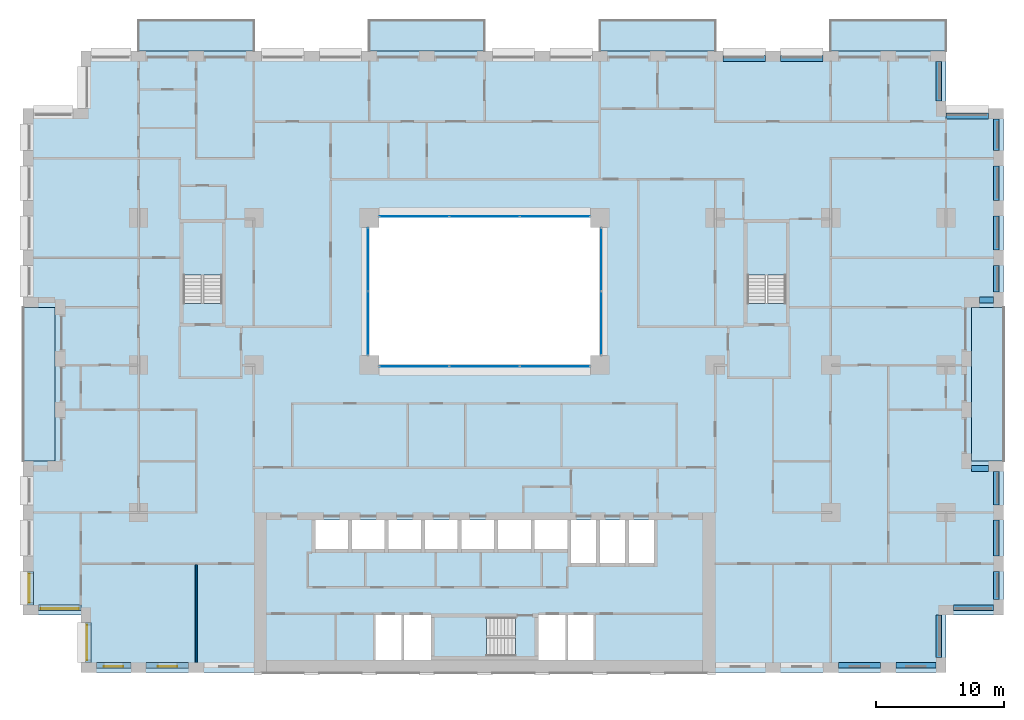
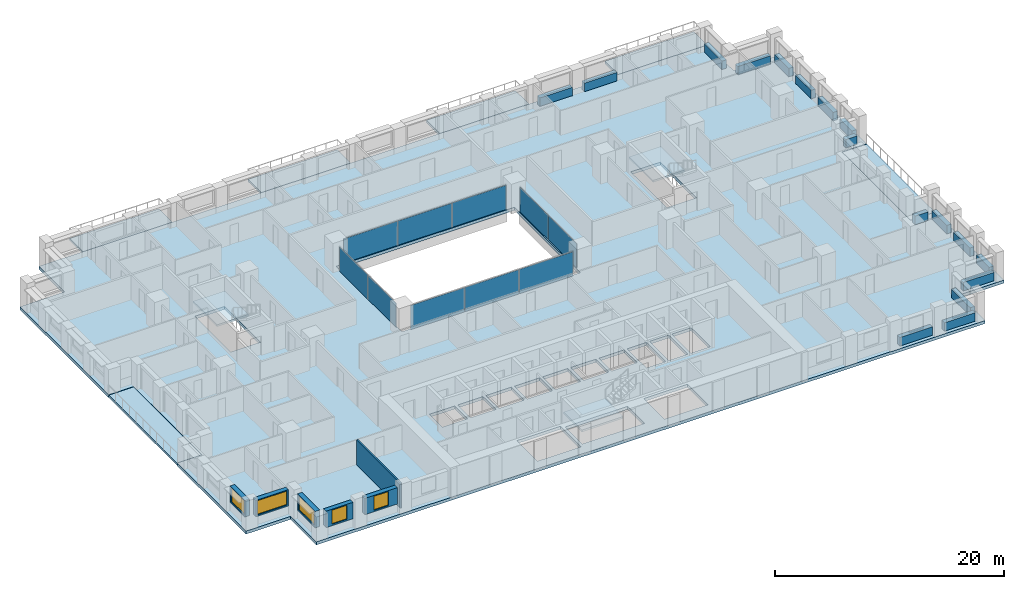
# One storey, part 8 of 20: 17 beams, 10 plates, 10 slabs, 6 walls, 5 windows, 5 openings, 7 elements without a shape of their own.
"""IFC4 building model written with IfcOpenShell, lengths in metres."""

from ifc_helpers import new_model, si_unit, direction, frame, frame_2d, origin, origin_2d, place, context, subcontext, project, spatial, polyline, rectangle, outline, extrude, material, layer, layer_set, material_profile, profile_set, type_object, element, fill, aggregate, save


model = new_model("IFC4")

# Units and contexts
model_context = context("Model", 3, precision=1e-05, world=origin(), true_north=direction((0.0, 1.0)))
body_context = subcontext(model_context, "Body", "Model", "MODEL_VIEW")
ifc_project = project(units=[si_unit("LENGTHUNIT", "METRE"), si_unit("AREAUNIT", "SQUARE_METRE"), si_unit("VOLUMEUNIT", "CUBIC_METRE"), si_unit("PLANEANGLEUNIT", "RADIAN"), si_unit("MASSUNIT", "GRAM", prefix="KILO")], contexts=[model_context])

# Site, building, storey
site_placement = place(None, origin())
site = spatial("IfcSite", under=ifc_project, at=site_placement, CompositionType="ELEMENT")
building_placement = place(site_placement, origin())
building = spatial("IfcBuilding", under=site, at=building_placement, Name="Brigalow Station Residences", CompositionType="ELEMENT")
storey_placement = place(building_placement, frame((0.0, 0.0, 69.89990234375)))
storey = spatial("IfcBuildingStorey", under=building, at=storey_placement, Name="L20", CompositionType="ELEMENT", Elevation=69.89990234375)

# Beams
ifc_material_1 = material(Name="Concrete C65", Category="concrete")
ifc_material_profile = material_profile(ifc_material_1, rectangle(XDim=0.449951171875, YDim=0.89990234375, at=origin_2d()), Name="RC450x900")
ifc_profile_set = profile_set([ifc_material_profile], Name="Concrete C65")
beam_type = type_object("IfcBeamType", Name="SPANDREL BEAM 450x900 C65", PredefinedType="SPANDREL", material=ifc_profile_set)
beam_1_placement = place(storey_placement, frame((63.60009765625, 0.574951171875, 0.4501953125), z_axis=(1.0, 0.0, 0.0), x_axis=(0.0, 1.0, 0.0)))
element("IfcBeam", 1, at=beam_1_placement, inside=storey, type_object=beam_type, Name="L20/spandrel/W-L20-7", PredefinedType="SPANDREL", context=body_context, shape_type="SweptSolid", body=[
    extrude(rectangle(XDim=0.449951171875, YDim=0.89990234375, at=origin_2d()), origin(), (0.0, 0.0, 1.0), 3.2998046875),
])
beam_2_placement = place(storey_placement, frame((68.10009765625, 0.574951171875, 0.4501953125), z_axis=(1.0, 0.0, 0.0), x_axis=(0.0, 1.0, 0.0)))
element("IfcBeam", 2, at=beam_2_placement, inside=storey, type_object=beam_type, Name="L20/spandrel/W-L20-8", PredefinedType="SPANDREL", context=body_context, shape_type="SweptSolid", body=[
    extrude(rectangle(XDim=0.449951171875, YDim=0.89990234375, at=origin_2d()), origin(), (0.0, 0.0, 1.0), 3.099853515625),
])
beam_3_placement = place(storey_placement, frame((71.425048828125, 1.199951171875, 0.4501953125), z_axis=(0.0, 1.0, 0.0), x_axis=(-1.0, 0.0, 0.0)))
element("IfcBeam", 3, at=beam_3_placement, inside=storey, type_object=beam_type, Name="L20/spandrel/W-L20-9", PredefinedType="SPANDREL", context=body_context, shape_type="SweptSolid", body=[
    extrude(rectangle(XDim=0.449951171875, YDim=0.89990234375, at=origin_2d()), origin(), (0.0, 0.0, 1.0), 3.300048828125),
])
beam_4_placement = place(storey_placement, frame((72.60009765625, 5.074951171875, 0.4501953125), z_axis=(1.0, 0.0, 0.0), x_axis=(0.0, 1.0, 0.0)))
element("IfcBeam", 4, at=beam_4_placement, inside=storey, type_object=beam_type, Name="L20/spandrel/W-L20-10", PredefinedType="SPANDREL", context=body_context, shape_type="SweptSolid", body=[
    extrude(rectangle(XDim=0.449951171875, YDim=0.89990234375, at=origin_2d()), origin(), (0.0, 0.0, 1.0), 3.099853515625),
])
beam_5_placement = place(storey_placement, frame((75.925048828125, 5.699951171875, 0.4501953125), z_axis=(0.0, 1.0, 0.0), x_axis=(-1.0, 0.0, 0.0)))
element("IfcBeam", 5, at=beam_5_placement, inside=storey, type_object=beam_type, Name="L20/spandrel/W-L20-11", PredefinedType="SPANDREL", context=body_context, shape_type="SweptSolid", body=[
    extrude(rectangle(XDim=0.449951171875, YDim=0.89990234375, at=origin_2d()), origin(), (0.0, 0.0, 1.0), 2.199951171875),
])
beam_6_placement = place(storey_placement, frame((75.925048828125, 9.10009765625, 0.4501953125), z_axis=(0.0, 1.0, 0.0), x_axis=(-1.0, 0.0, 0.0)))
element("IfcBeam", 6, at=beam_6_placement, inside=storey, type_object=beam_type, Name="L20/spandrel/W-L20-12", PredefinedType="SPANDREL", context=body_context, shape_type="SweptSolid", body=[
    extrude(rectangle(XDim=0.449951171875, YDim=0.89990234375, at=origin_2d()), origin(), (0.0, 0.0, 1.0), 2.7998046875),
])
beam_7_placement = place(storey_placement, frame((75.925048828125, 13.10009765625, 0.4501953125), z_axis=(0.0, 1.0, 0.0), x_axis=(-1.0, 0.0, 0.0)))
element("IfcBeam", 7, at=beam_7_placement, inside=storey, type_object=beam_type, Name="L20/spandrel/W-L20-13", PredefinedType="SPANDREL", context=body_context, shape_type="SweptSolid", body=[
    extrude(rectangle(XDim=0.449951171875, YDim=0.89990234375, at=origin_2d()), origin(), (0.0, 0.0, 1.0), 2.599853515625),
])
beam_8_placement = place(storey_placement, frame((75.300048828125, 15.925048828125, 0.4501953125), z_axis=(-1.0, 0.0, 0.0), x_axis=(0.0, -1.0, 0.0)))
element("IfcBeam", 8, at=beam_8_placement, inside=storey, type_object=beam_type, Name="L20/spandrel/W-L20-14", PredefinedType="SPANDREL", context=body_context, shape_type="SweptSolid", body=[
    extrude(rectangle(XDim=0.449951171875, YDim=0.89990234375, at=origin_2d()), origin(), (0.0, 0.0, 1.0), 1.300048828125),
])
beam_9_placement = place(storey_placement, frame((74.60009765625, 29.074951171875, 0.4501953125), z_axis=(1.0, 0.0, 0.0), x_axis=(0.0, 1.0, 0.0)))
element("IfcBeam", 9, at=beam_9_placement, inside=storey, type_object=beam_type, Name="L20/spandrel/W-L20-18", PredefinedType="SPANDREL", context=body_context, shape_type="SweptSolid", body=[
    extrude(rectangle(XDim=0.449951171875, YDim=0.89990234375, at=origin_2d()), origin(), (0.0, 0.0, 1.0), 1.099853515625),
])
beam_10_placement = place(storey_placement, frame((75.925048828125, 29.699951171875, 0.4501953125), z_axis=(0.0, 1.0, 0.0), x_axis=(-1.0, 0.0, 0.0)))
element("IfcBeam", 10, at=beam_10_placement, inside=storey, type_object=beam_type, Name="L20/spandrel/W-L20-19", PredefinedType="SPANDREL", context=body_context, shape_type="SweptSolid", body=[
    extrude(rectangle(XDim=0.449951171875, YDim=0.89990234375, at=origin_2d()), origin(), (0.0, 0.0, 1.0), 2.074951171875),
])
for number, where, z_axis, x_axis, name in (
    (11, (75.925048828125, 32.97509765625, 0.4501953125), (0.0, 1.0, 0.0), (-1.0, 0.0, 0.0), "L20/spandrel/W-L20-20"),
    (12, (75.925048828125, 36.85009765625, 0.4501953125), (0.0, 1.0, 0.0), (-1.0, 0.0, 0.0), "L20/spandrel/W-L20-21"),
):
    element("IfcBeam", number, at=place(storey_placement, frame(where, z_axis=z_axis, x_axis=x_axis)), inside=storey, type_object=beam_type, Name=name, PredefinedType="SPANDREL", context=body_context, shape_type="SweptSolid", body=[
        extrude(rectangle(XDim=0.449951171875, YDim=0.89990234375, at=origin_2d()), origin(), (0.0, 0.0, 1.0), 2.6748046875),
    ])
beam_11_placement = place(storey_placement, frame((75.925048828125, 40.72509765625, 0.4501953125), z_axis=(0.0, 1.0, 0.0), x_axis=(-1.0, 0.0, 0.0)))
element("IfcBeam", 13, at=beam_11_placement, inside=storey, type_object=beam_type, Name="L20/spandrel/W-L20-22", PredefinedType="SPANDREL", context=body_context, shape_type="SweptSolid", body=[
    extrude(rectangle(XDim=0.449951171875, YDim=0.89990234375, at=origin_2d()), origin(), (0.0, 0.0, 1.0), 2.474853515625),
])
beam_12_placement = place(storey_placement, frame((75.300048828125, 43.425048828125, 0.4501953125), z_axis=(-1.0, 0.0, 0.0), x_axis=(0.0, -1.0, 0.0)))
element("IfcBeam", 14, at=beam_12_placement, inside=storey, type_object=beam_type, Name="L20/spandrel/W-L20-23", PredefinedType="SPANDREL", context=body_context, shape_type="SweptSolid", body=[
    extrude(rectangle(XDim=0.449951171875, YDim=0.89990234375, at=origin_2d()), origin(), (0.0, 0.0, 1.0), 3.300048828125),
])
beam_13_placement = place(storey_placement, frame((71.425048828125, 44.60009765625, 0.4501953125), z_axis=(0.0, 1.0, 0.0), x_axis=(-1.0, 0.0, 0.0)))
element("IfcBeam", 15, at=beam_13_placement, inside=storey, type_object=beam_type, Name="L20/spandrel/W-L20-24", PredefinedType="SPANDREL", context=body_context, shape_type="SweptSolid", body=[
    extrude(rectangle(XDim=0.449951171875, YDim=0.89990234375, at=origin_2d()), origin(), (0.0, 0.0, 1.0), 3.099853515625),
])
for number, where, z_axis, x_axis, name in (
    (16, (62.39990234375, 47.925048828125, 0.4501953125), (-1.0, 0.0, 0.0), (0.0, -1.0, 0.0), "L20/spandrel/W-L20-27"),
    (17, (57.89990234375, 47.925048828125, 0.4501953125), (-1.0, 0.0, 0.0), (0.0, -1.0, 0.0), "L20/spandrel/W-L20-28"),
):
    element("IfcBeam", number, at=place(storey_placement, frame(where, z_axis=z_axis, x_axis=x_axis)), inside=storey, type_object=beam_type, Name=name, PredefinedType="SPANDREL", context=body_context, shape_type="SweptSolid", body=[
        extrude(rectangle(XDim=0.449951171875, YDim=0.89990234375, at=origin_2d()), origin(), (0.0, 0.0, 1.0), 3.2998046875),
    ])

# Curtain wall, plates
ifc_material_2 = material(Name="Aluminium", Category="aluminium")
ifc_layer_1 = layer(ifc_material_2, 0.14990234375)
ifc_layer_set_1 = layer_set([ifc_layer_1], Name="ATRIUM FIRE-RATED GLAZING CURTAIN WALL")
curtain_wall_type = type_object("IfcCurtainWallType", Name="ATRIUM FIRE-RATED GLAZING CURTAIN WALL", PredefinedType="NOTDEFINED", material=ifc_layer_set_1)
curtain_wall_1_placement = place(storey_placement, origin())
curtain_wall_1 = element("IfcCurtainWall", 18, at=curtain_wall_1_placement, inside=storey, type_object=curtain_wall_type, Name="L20/cw/atrium-S", PredefinedType="NOTDEFINED")
ifc_material_3 = material(Name="Fire-resisting laminated glazing, FRL -/60/-", Category="glass")
ifc_layer_2 = layer(ifc_material_3, 0.031982421875)
ifc_layer_set_2 = layer_set([ifc_layer_2], Name="ATRIUM FIRE-RATED GLAZING PANEL 32")
plate_type = type_object("IfcPlateType", Name="ATRIUM FIRE-RATED GLAZING PANEL 32", PredefinedType="CURTAIN_PANEL", material=ifc_layer_set_2)
plate_1_placement = place(storey_placement, frame((30.514892578125, 23.89990234375, 0.0), z_axis=(0.0, 0.0, 1.0), x_axis=(1.0, 0.0, 0.0)))
plate_1 = element("IfcPlate", 19, at=plate_1_placement, type_object=plate_type, Name="L20/cw/atrium-S/P00-00", PredefinedType="CURTAIN_PANEL", context=body_context, shape_type="SweptSolid", body=[
    extrude(rectangle(XDim=5.409912109375, YDim=0.031982421875, at=origin_2d()), origin(), (0.0, 0.0, 1.0), 2.590087890625),
])
plate_2_placement = place(storey_placement, frame((36.0, 23.89990234375, 0.0), z_axis=(0.0, 0.0, 1.0), x_axis=(1.0, 0.0, 0.0)))
plate_2 = element("IfcPlate", 20, at=plate_2_placement, type_object=plate_type, Name="L20/cw/atrium-S/P01-00", PredefinedType="CURTAIN_PANEL", context=body_context, shape_type="SweptSolid", body=[
    extrude(rectangle(XDim=5.43994140625, YDim=0.031982421875, at=origin_2d()), origin(), (0.0, 0.0, 1.0), 2.590087890625),
])
plate_3_placement = place(storey_placement, frame((41.485107421875, 23.89990234375, 0.0), z_axis=(0.0, 0.0, 1.0), x_axis=(1.0, 0.0, 0.0)))
plate_3 = element("IfcPlate", 21, at=plate_3_placement, type_object=plate_type, Name="L20/cw/atrium-S/P02-00", PredefinedType="CURTAIN_PANEL", context=body_context, shape_type="SweptSolid", body=[
    extrude(rectangle(XDim=5.409912109375, YDim=0.031982421875, at=origin_2d()), origin(), (0.0, 0.0, 1.0), 2.590087890625),
])
aggregate(curtain_wall_1, [plate_1, plate_2, plate_3])

curtain_wall_2_placement = place(storey_placement, origin())
curtain_wall_2 = element("IfcCurtainWall", 22, at=curtain_wall_2_placement, inside=storey, type_object=curtain_wall_type, Name="L20/cw/atrium-E", PredefinedType="NOTDEFINED")
plate_4_placement = place(storey_placement, frame((45.10009765625, 27.264892578125, 0.0), z_axis=(0.0, 0.0, 1.0), x_axis=(0.0, 1.0, 0.0)))
plate_4 = element("IfcPlate", 23, at=plate_4_placement, type_object=plate_type, Name="L20/cw/atrium-E/P00-00", PredefinedType="CURTAIN_PANEL", context=body_context, shape_type="SweptSolid", body=[
    extrude(rectangle(XDim=4.909912109375, YDim=0.031982421875, at=origin_2d()), origin(), (0.0, 0.0, 1.0), 2.590087890625),
])
plate_5_placement = place(storey_placement, frame((45.10009765625, 32.235107421875, 0.0), z_axis=(0.0, 0.0, 1.0), x_axis=(0.0, 1.0, 0.0)))
plate_5 = element("IfcPlate", 24, at=plate_5_placement, type_object=plate_type, Name="L20/cw/atrium-E/P01-00", PredefinedType="CURTAIN_PANEL", context=body_context, shape_type="SweptSolid", body=[
    extrude(rectangle(XDim=4.909912109375, YDim=0.031982421875, at=origin_2d()), origin(), (0.0, 0.0, 1.0), 2.590087890625),
])
aggregate(curtain_wall_2, [plate_4, plate_5])

curtain_wall_3_placement = place(storey_placement, origin())
curtain_wall_3 = element("IfcCurtainWall", 25, at=curtain_wall_3_placement, inside=storey, type_object=curtain_wall_type, Name="L20/cw/atrium-N", PredefinedType="NOTDEFINED")
plate_6_placement = place(storey_placement, frame((41.485107421875, 35.60009765625, 0.0), z_axis=(0.0, 0.0, 1.0), x_axis=(-1.0, 0.0, 0.0)))
plate_6 = element("IfcPlate", 26, at=plate_6_placement, type_object=plate_type, Name="L20/cw/atrium-N/P00-00", PredefinedType="CURTAIN_PANEL", context=body_context, shape_type="SweptSolid", body=[
    extrude(rectangle(XDim=5.409912109375, YDim=0.031982421875, at=origin_2d()), origin(), (0.0, 0.0, 1.0), 2.590087890625),
])
plate_7_placement = place(storey_placement, frame((36.0, 35.60009765625, 0.0), z_axis=(0.0, 0.0, 1.0), x_axis=(-1.0, 0.0, 0.0)))
plate_7 = element("IfcPlate", 27, at=plate_7_placement, type_object=plate_type, Name="L20/cw/atrium-N/P01-00", PredefinedType="CURTAIN_PANEL", context=body_context, shape_type="SweptSolid", body=[
    extrude(rectangle(XDim=5.43994140625, YDim=0.031982421875, at=origin_2d()), origin(), (0.0, 0.0, 1.0), 2.590087890625),
])
plate_8_placement = place(storey_placement, frame((30.514892578125, 35.60009765625, 0.0), z_axis=(0.0, 0.0, 1.0), x_axis=(-1.0, 0.0, 0.0)))
plate_8 = element("IfcPlate", 28, at=plate_8_placement, type_object=plate_type, Name="L20/cw/atrium-N/P02-00", PredefinedType="CURTAIN_PANEL", context=body_context, shape_type="SweptSolid", body=[
    extrude(rectangle(XDim=5.409912109375, YDim=0.031982421875, at=origin_2d()), origin(), (0.0, 0.0, 1.0), 2.590087890625),
])
aggregate(curtain_wall_3, [plate_6, plate_7, plate_8])

curtain_wall_4_placement = place(storey_placement, origin())
curtain_wall_4 = element("IfcCurtainWall", 29, at=curtain_wall_4_placement, inside=storey, type_object=curtain_wall_type, Name="L20/cw/atrium-W", PredefinedType="NOTDEFINED")
plate_9_placement = place(storey_placement, frame((26.89990234375, 32.235107421875, 0.0), z_axis=(0.0, 0.0, 1.0), x_axis=(0.0, -1.0, 0.0)))
plate_9 = element("IfcPlate", 30, at=plate_9_placement, type_object=plate_type, Name="L20/cw/atrium-W/P00-00", PredefinedType="CURTAIN_PANEL", context=body_context, shape_type="SweptSolid", body=[
    extrude(rectangle(XDim=4.909912109375, YDim=0.031982421875, at=origin_2d()), origin(), (0.0, 0.0, 1.0), 2.590087890625),
])
plate_10_placement = place(storey_placement, frame((26.89990234375, 27.264892578125, 0.0), z_axis=(0.0, 0.0, 1.0), x_axis=(0.0, -1.0, 0.0)))
plate_10 = element("IfcPlate", 31, at=plate_10_placement, type_object=plate_type, Name="L20/cw/atrium-W/P01-00", PredefinedType="CURTAIN_PANEL", context=body_context, shape_type="SweptSolid", body=[
    extrude(rectangle(XDim=4.909912109375, YDim=0.031982421875, at=origin_2d()), origin(), (0.0, 0.0, 1.0), 2.590087890625),
])
aggregate(curtain_wall_4, [plate_9, plate_10])

# Slabs
ifc_material_4 = material(Name="Concrete C50 precast", Category="concrete")
ifc_layer_3 = layer(ifc_material_4, 0.25)
ifc_layer_set_3 = layer_set([ifc_layer_3], Name="BALCONY SLAB 250")
slab_type_1 = type_object("IfcSlabType", Name="BALCONY SLAB 250", PredefinedType="USERDEFINED", material=ifc_layer_set_3)
slab_1_placement = place(storey_placement, frame((0.0, 0.0, -0.289794921875)))
element("IfcSlab", 32, at=slab_1_placement, inside=storey, type_object=slab_type_1, Name="L20/balcony/1", ObjectType="BALCONY", PredefinedType="USERDEFINED", context=body_context, shape_type="SweptSolid", body=[
    extrude(outline(polyline([(74.0, 16.5), (76.5, 16.5), (76.5, 28.5), (74.0, 28.5), (74.0, 16.5)])), origin(), (0.0, 0.0, 1.0), 0.25),
])
slab_2_placement = place(storey_placement, frame((0.0, 0.0, -0.289794921875)))
element("IfcSlab", 33, at=slab_2_placement, inside=storey, type_object=slab_type_1, Name="L20/balcony/2", ObjectType="BALCONY", PredefinedType="USERDEFINED", context=body_context, shape_type="SweptSolid", body=[
    extrude(outline(polyline([(72.0, 48.5), (72.0, 50.89990234375), (63.0, 50.89990234375), (63.0, 48.5), (72.0, 48.5)])), origin(), (0.0, 0.0, 1.0), 0.25),
])
slab_3_placement = place(storey_placement, frame((0.0, 0.0, -0.289794921875)))
element("IfcSlab", 34, at=slab_3_placement, inside=storey, type_object=slab_type_1, Name="L20/balcony/3", ObjectType="BALCONY", PredefinedType="USERDEFINED", context=body_context, shape_type="SweptSolid", body=[
    extrude(outline(polyline([(54.0, 48.5), (54.0, 50.89990234375), (45.0, 50.89990234375), (45.0, 48.5), (54.0, 48.5)])), origin(), (0.0, 0.0, 1.0), 0.25),
])
slab_4_placement = place(storey_placement, frame((0.0, 0.0, -0.289794921875)))
element("IfcSlab", 35, at=slab_4_placement, inside=storey, type_object=slab_type_1, Name="L20/balcony/4", ObjectType="BALCONY", PredefinedType="USERDEFINED", context=body_context, shape_type="SweptSolid", body=[
    extrude(outline(polyline([(36.0, 48.5), (36.0, 50.89990234375), (27.0, 50.89990234375), (27.0, 48.5), (36.0, 48.5)])), origin(), (0.0, 0.0, 1.0), 0.25),
])
slab_5_placement = place(storey_placement, frame((0.0, 0.0, -0.289794921875)))
element("IfcSlab", 36, at=slab_5_placement, inside=storey, type_object=slab_type_1, Name="L20/balcony/5", ObjectType="BALCONY", PredefinedType="USERDEFINED", context=body_context, shape_type="SweptSolid", body=[
    extrude(outline(polyline([(18.0, 48.5), (18.0, 50.89990234375), (9.0, 50.89990234375), (9.0, 48.5), (18.0, 48.5)])), origin(), (0.0, 0.0, 1.0), 0.25),
])
slab_6_placement = place(storey_placement, frame((0.0, 0.0, -0.289794921875)))
element("IfcSlab", 37, at=slab_6_placement, inside=storey, type_object=slab_type_1, Name="L20/balcony/6", ObjectType="BALCONY", PredefinedType="USERDEFINED", context=body_context, shape_type="SweptSolid", body=[
    extrude(outline(polyline([(2.5, 28.5), (0.0, 28.5), (0.0, 16.5), (2.5, 16.5), (2.5, 28.5)])), origin(), (0.0, 0.0, 1.0), 0.25),
])
ifc_material_5 = material(Name="Concrete C50", Category="concrete")
ifc_layer_4 = layer(ifc_material_5, 0.320068359375)
ifc_layer_set_4 = layer_set([ifc_layer_4], Name="POST-TENSIONED FLAT PLATE 320 C50")
slab_type_2 = type_object("IfcSlabType", Name="POST-TENSIONED FLAT PLATE 320 C50", PredefinedType="FLOOR", material=ifc_layer_set_4)
slab_7_placement = place(storey_placement, frame((0.0, 0.0, -0.31982421875)))
element("IfcSlab", 38, at=slab_7_placement, inside=storey, type_object=slab_type_2, Name="FLOOR SLAB L20", PredefinedType="FLOOR", context=body_context, shape_type="SweptSolid", body=[
    extrude(outline(polyline([(4.5, 0.0), (72.0, 0.0), (72.0, 4.5), (76.5, 4.5), (76.5, 16.5), (74.0, 16.5), (74.0, 28.5), (76.5, 28.5), (76.5, 44.0), (72.0, 44.0), (72.0, 48.5), (4.5, 48.5), (4.5, 44.0), (0.0, 44.0), (0.0, 28.5), (2.5, 28.5), (2.5, 16.5), (0.0, 16.5), (0.0, 4.5), (4.5, 4.5), (4.5, 0.0)]), holes=[polyline([(15.4951171875, 35.094970703125), (15.4951171875, 28.804931640625), (12.5048828125, 28.804931640625), (12.5048828125, 35.094970703125), (15.4951171875, 35.094970703125)]), polyline([(22.800048828125, 11.89990234375), (25.35009765625, 11.89990234375), (25.35009765625, 9.64990234375), (22.800048828125, 9.64990234375), (22.800048828125, 11.89990234375)]), polyline([(25.64990234375, 11.89990234375), (28.199951171875, 11.89990234375), (28.199951171875, 9.64990234375), (25.64990234375, 9.64990234375), (25.64990234375, 11.89990234375)]), polyline([(28.5, 11.89990234375), (31.050048828125, 11.89990234375), (31.050048828125, 9.64990234375), (28.5, 9.64990234375), (28.5, 11.89990234375)]), polyline([(29.60009765625, 1.0), (27.39990234375, 1.0), (27.39990234375, 4.60009765625), (29.60009765625, 4.60009765625), (31.800048828125, 4.60009765625), (31.800048828125, 1.0), (29.60009765625, 1.0)]), polyline([(31.35009765625, 11.89990234375), (33.89990234375, 11.89990234375), (33.89990234375, 9.64990234375), (31.35009765625, 9.64990234375), (31.35009765625, 11.89990234375)]), polyline([(32.10498046875, 4.294921875), (38.39501953125, 4.294921875), (38.39501953125, 1.304931640625), (32.10498046875, 1.304931640625), (32.10498046875, 4.294921875)]), polyline([(36.75, 11.89990234375), (36.75, 9.64990234375), (34.199951171875, 9.64990234375), (34.199951171875, 11.89990234375), (36.75, 11.89990234375)]), polyline([(37.050048828125, 11.89990234375), (39.60009765625, 11.89990234375), (39.60009765625, 9.64990234375), (37.050048828125, 9.64990234375), (37.050048828125, 11.89990234375)]), polyline([(39.89990234375, 11.89990234375), (42.449951171875, 11.89990234375), (42.449951171875, 9.64990234375), (39.89990234375, 9.64990234375), (39.89990234375, 11.89990234375)]), polyline([(42.39990234375, 1.0), (40.199951171875, 1.0), (40.199951171875, 4.60009765625), (42.39990234375, 4.60009765625), (44.60009765625, 4.60009765625), (44.60009765625, 1.0), (42.39990234375, 1.0)]), polyline([(42.75, 11.89990234375), (44.699951171875, 11.89990234375), (44.699951171875, 8.550048828125), (42.75, 8.550048828125), (42.75, 11.89990234375)]), polyline([(45.0, 11.89990234375), (46.949951171875, 11.89990234375), (46.949951171875, 8.550048828125), (45.0, 8.550048828125), (45.0, 11.89990234375)]), polyline([(45.0, 35.5), (45.0, 24.0), (27.0, 24.0), (27.0, 35.5), (45.0, 35.5)]), polyline([(47.25, 11.89990234375), (49.199951171875, 11.89990234375), (49.199951171875, 8.550048828125), (47.25, 8.550048828125), (47.25, 11.89990234375)]), polyline([(59.4951171875, 35.094970703125), (59.4951171875, 28.804931640625), (56.5048828125, 28.804931640625), (56.5048828125, 35.094970703125), (59.4951171875, 35.094970703125)])]), origin(), (0.0, 0.0, 1.0), 0.31982421875),
])

# Stair, slab
ifc_material_6 = material(Name="Concrete C50", Category="concrete")
stair_type = type_object("IfcStairType", Name="EXIT STAIR 1400 2 FLIGHT", PredefinedType="HALF_TURN_STAIR", material=ifc_material_6)
stair_1_placement = place(storey_placement, origin())
stair_1 = element("IfcStair", 39, at=stair_1_placement, inside=storey, type_object=stair_type, Name="EXIT STAIR S2 L20", PredefinedType="HALF_TURN_STAIR")
ifc_material_7 = material(Name="Concrete C50", Category="concrete")
ifc_layer_5 = layer(ifc_material_7, 0.199951171875)
ifc_layer_set_5 = layer_set([ifc_layer_5], Name="STAIR LANDING 200")
slab_type_3 = type_object("IfcSlabType", Name="STAIR LANDING 200", PredefinedType="LANDING", material=ifc_layer_set_5)
slab_8_placement = place(storey_placement, frame((0.0, 0.0, 1.375)))
slab_8 = element("IfcSlab", 40, at=slab_8_placement, type_object=slab_type_3, Name="ST-2 landing 1", PredefinedType="LANDING", context=body_context, shape_type="SweptSolid", body=[
    extrude(outline(polyline([(32.0, 1.199951171875), (36.159912109375, 1.199951171875), (36.159912109375, 4.39990234375), (32.0, 4.39990234375), (32.0, 1.199951171875)])), origin(), (0.0, 0.0, 1.0), 0.2001953125),
])
aggregate(stair_1, [slab_8])

stair_2_placement = place(storey_placement, origin())
stair_2 = element("IfcStair", 41, at=stair_2_placement, inside=storey, type_object=stair_type, Name="EXIT STAIR S1 L20", PredefinedType="HALF_TURN_STAIR")
slab_9_placement = place(storey_placement, frame((0.0, 0.0, 1.375)))
slab_9 = element("IfcSlab", 42, at=slab_9_placement, type_object=slab_type_3, Name="ST-1 landing 1", PredefinedType="LANDING", context=body_context, shape_type="SweptSolid", body=[
    extrude(outline(polyline([(12.39990234375, 31.0400390625), (15.60009765625, 31.0400390625), (15.60009765625, 35.199951171875), (12.39990234375, 35.199951171875), (12.39990234375, 31.0400390625)])), origin(), (0.0, 0.0, 1.0), 0.2001953125),
])
aggregate(stair_2, [slab_9])

stair_3_placement = place(storey_placement, origin())
stair_3 = element("IfcStair", 43, at=stair_3_placement, inside=storey, type_object=stair_type, Name="EXIT STAIR S3 L20", PredefinedType="HALF_TURN_STAIR")
slab_10_placement = place(storey_placement, frame((0.0, 0.0, 1.375)))
slab_10 = element("IfcSlab", 44, at=slab_10_placement, type_object=slab_type_3, Name="ST-3 landing 1", PredefinedType="LANDING", context=body_context, shape_type="SweptSolid", body=[
    extrude(outline(polyline([(56.39990234375, 31.0400390625), (59.60009765625, 31.0400390625), (59.60009765625, 35.199951171875), (56.39990234375, 35.199951171875), (56.39990234375, 31.0400390625)])), origin(), (0.0, 0.0, 1.0), 0.2001953125),
])
aggregate(stair_3, [slab_10])

# Wall, opening, window
ifc_material_8 = material(Name="Clay brick masonry", Category="masonry")
ifc_layer_6 = layer(ifc_material_8, 0.449951171875)
ifc_layer_set_6 = layer_set([ifc_layer_6], Name="BRICK INFILL WALL 450")
wall_type_1 = type_object("IfcWallType", Name="BRICK INFILL WALL 450", PredefinedType="SOLIDWALL", material=ifc_layer_set_6)
wall_1_placement = place(storey_placement, frame((5.699951171875, 0.574951171875, 0.900146484375), z_axis=(0.0, 0.0, 1.0), x_axis=(1.0, 0.0, 0.0)))
wall_1 = element("IfcWall", 45, at=wall_1_placement, inside=storey, type_object=wall_type_1, Name="L20/ewall/W-L20-1", PredefinedType="SOLIDWALL", context=body_context, shape_type="SweptSolid", body=[
    extrude(rectangle(XDim=2.699951171875, YDim=0.449951171875, at=frame_2d((1.35009765625, 0.0))), origin(), (0.0, 0.0, 1.0), 1.75),
])
opening_1_placement = place(wall_1_placement, frame((0.60009765625, 0.0, 0.14990234375)))
opening_1 = element("IfcOpeningElement", 46, at=opening_1_placement, cuts=wall_1, Name="Opening WT-1", PredefinedType="OPENING", context=body_context, shape_type="SweptSolid", body=[
    extrude(rectangle(XDim=1.5, YDim=1.5, at=frame_2d((0.75, 0.75))), frame((0.0, 0.23486328125, 0.0), z_axis=(0.0, -1.0, 0.0), x_axis=(1.0, 0.0, 0.0)), (0.0, 0.0, 1.0), 0.469970703125),
])
ifc_material_9 = material(Name="Anodised aluminium frame with double glazing", Category="aluminium")
window_type_1 = type_object("IfcWindowType", Name="WINDOW 1500x1500", PartitioningType="SINGLE_PANEL", PredefinedType="WINDOW", material=ifc_material_9)
window_1_placement = place(opening_1_placement, origin())
window_1 = element("IfcWindow", 47, at=window_1_placement, inside=storey, type_object=window_type_1, Name="L20/window/W-L20-1", OverallHeight=1.5, OverallWidth=1.5, PartitioningType="SINGLE_PANEL", PredefinedType="WINDOW", context=body_context, shape_type="SweptSolid", body=[
    extrude(rectangle(XDim=1.5, YDim=1.5, at=frame_2d((0.75, 0.75))), frame((0.0, -0.06494140625, 0.0), z_axis=(0.0, -1.0, 0.0), x_axis=(1.0, 0.0, 0.0)), (0.0, 0.0, 1.0), 0.06005859375),
])
fill(opening_1, window_1)

wall_2_placement = place(storey_placement, frame((9.60009765625, 0.574951171875, 0.900146484375), z_axis=(0.0, 0.0, 1.0), x_axis=(1.0, 0.0, 0.0)))
wall_2 = element("IfcWall", 48, at=wall_2_placement, inside=storey, type_object=wall_type_1, Name="L20/ewall/W-L20-2", PredefinedType="SOLIDWALL", context=body_context, shape_type="SweptSolid", body=[
    extrude(rectangle(XDim=3.2998046875, YDim=0.449951171875, at=frame_2d((1.64990234375, 0.0))), origin(), (0.0, 0.0, 1.0), 1.75),
])
opening_2_placement = place(wall_2_placement, frame((0.89990234375, 0.0, 0.14990234375)))
opening_2 = element("IfcOpeningElement", 49, at=opening_2_placement, cuts=wall_2, Name="Opening WT-1", PredefinedType="OPENING", context=body_context, shape_type="SweptSolid", body=[
    extrude(rectangle(XDim=1.5, YDim=1.5, at=frame_2d((0.75, 0.75))), frame((0.0, 0.23486328125, 0.0), z_axis=(0.0, -1.0, 0.0), x_axis=(1.0, 0.0, 0.0)), (0.0, 0.0, 1.0), 0.469970703125),
])
window_2_placement = place(opening_2_placement, origin())
window_2 = element("IfcWindow", 50, at=window_2_placement, inside=storey, type_object=window_type_1, Name="L20/window/W-L20-2", OverallHeight=1.5, OverallWidth=1.5, PartitioningType="SINGLE_PANEL", PredefinedType="WINDOW", context=body_context, shape_type="SweptSolid", body=[
    extrude(rectangle(XDim=1.5, YDim=1.5, at=frame_2d((0.75, 0.75))), frame((0.0, -0.06494140625, 0.0), z_axis=(0.0, -1.0, 0.0), x_axis=(1.0, 0.0, 0.0)), (0.0, 0.0, 1.0), 0.06005859375),
])
fill(opening_2, window_2)

wall_3_placement = place(storey_placement, frame((0.574951171875, 7.89990234375, 0.900146484375), z_axis=(0.0, 0.0, 1.0), x_axis=(0.0, -1.0, 0.0)))
wall_3 = element("IfcWall", 51, at=wall_3_placement, inside=storey, type_object=wall_type_1, Name="L20/ewall/W-L20-53", PredefinedType="SOLIDWALL", context=body_context, shape_type="SweptSolid", body=[
    extrude(rectangle(XDim=2.599853515625, YDim=0.449951171875, at=frame_2d((1.2998046875, 0.0))), origin(), (0.0, 0.0, 1.0), 1.75),
])
opening_3_placement = place(wall_3_placement, frame((0.175048828125, 0.0, 0.14990234375)))
opening_3 = element("IfcOpeningElement", 52, at=opening_3_placement, cuts=wall_3, Name="Opening WT-6", PredefinedType="OPENING", context=body_context, shape_type="SweptSolid", body=[
    extrude(rectangle(XDim=2.25, YDim=1.5, at=frame_2d((1.125, 0.75))), frame((0.0, 0.23486328125, 0.0), z_axis=(0.0, -1.0, 0.0), x_axis=(1.0, 0.0, 0.0)), (0.0, 0.0, 1.0), 0.469970703125),
])
ifc_material_10 = material(Name="Anodised aluminium frame with double glazing", Category="aluminium")
window_type_2 = type_object("IfcWindowType", Name="WINDOW 2250x1500", PartitioningType="SINGLE_PANEL", PredefinedType="WINDOW", material=ifc_material_10)
window_3_placement = place(opening_3_placement, origin())
window_3 = element("IfcWindow", 53, at=window_3_placement, inside=storey, type_object=window_type_2, Name="L20/window/W-L20-53", OverallHeight=1.5, OverallWidth=2.25, PartitioningType="SINGLE_PANEL", PredefinedType="WINDOW", context=body_context, shape_type="SweptSolid", body=[
    extrude(rectangle(XDim=2.25, YDim=1.5, at=frame_2d((1.125, 0.75))), frame((0.0, -0.06494140625, 0.0), z_axis=(0.0, -1.0, 0.0), x_axis=(1.0, 0.0, 0.0)), (0.0, 0.0, 1.0), 0.06005859375),
])
fill(opening_3, window_3)

wall_4_placement = place(storey_placement, frame((1.199951171875, 5.074951171875, 0.900146484375), z_axis=(0.0, 0.0, 1.0), x_axis=(1.0, 0.0, 0.0)))
wall_4 = element("IfcWall", 54, at=wall_4_placement, inside=storey, type_object=wall_type_1, Name="L20/ewall/W-L20-54", PredefinedType="SOLIDWALL", context=body_context, shape_type="SweptSolid", body=[
    extrude(rectangle(XDim=3.300048828125, YDim=0.449951171875, at=frame_2d((1.64990234375, 0.0))), origin(), (0.0, 0.0, 1.0), 1.75),
])
opening_4_placement = place(wall_4_placement, frame((0.14990234375, 0.0, 0.14990234375)))
opening_4 = element("IfcOpeningElement", 55, at=opening_4_placement, cuts=wall_4, Name="Opening WT-2", PredefinedType="OPENING", context=body_context, shape_type="SweptSolid", body=[
    extrude(rectangle(XDim=3.0, YDim=1.5, at=frame_2d((1.5, 0.75))), frame((0.0, 0.23486328125, 0.0), z_axis=(0.0, -1.0, 0.0), x_axis=(1.0, 0.0, 0.0)), (0.0, 0.0, 1.0), 0.469970703125),
])
ifc_material_11 = material(Name="Anodised aluminium frame with double glazing", Category="aluminium")
window_type_3 = type_object("IfcWindowType", Name="WINDOW 3000x1500", PartitioningType="SINGLE_PANEL", PredefinedType="WINDOW", material=ifc_material_11)
window_4_placement = place(opening_4_placement, origin())
window_4 = element("IfcWindow", 56, at=window_4_placement, inside=storey, type_object=window_type_3, Name="L20/window/W-L20-54", OverallHeight=1.5, OverallWidth=3.0, PartitioningType="SINGLE_PANEL", PredefinedType="WINDOW", context=body_context, shape_type="SweptSolid", body=[
    extrude(rectangle(XDim=3.0, YDim=1.5, at=frame_2d((1.5, 0.75))), frame((0.0, -0.06494140625, 0.0), z_axis=(0.0, -1.0, 0.0), x_axis=(1.0, 0.0, 0.0)), (0.0, 0.0, 1.0), 0.06005859375),
])
fill(opening_4, window_4)

wall_5_placement = place(storey_placement, frame((5.074951171875, 3.89990234375, 0.900146484375), z_axis=(0.0, 0.0, 1.0), x_axis=(0.0, -1.0, 0.0)))
wall_5 = element("IfcWall", 57, at=wall_5_placement, inside=storey, type_object=wall_type_1, Name="L20/ewall/W-L20-55", PredefinedType="SOLIDWALL", context=body_context, shape_type="SweptSolid", body=[
    extrude(rectangle(XDim=3.099853515625, YDim=0.449951171875, at=frame_2d((1.5498046875, 0.0))), origin(), (0.0, 0.0, 1.0), 1.75),
])
opening_5_placement = place(wall_5_placement, frame((0.175048828125, 0.0, 0.14990234375)))
opening_5 = element("IfcOpeningElement", 58, at=opening_5_placement, cuts=wall_5, Name="Opening WT-3", PredefinedType="OPENING", context=body_context, shape_type="SweptSolid", body=[
    extrude(rectangle(XDim=2.75, YDim=1.5, at=frame_2d((1.375, 0.75))), frame((0.0, 0.23486328125, 0.0), z_axis=(0.0, -1.0, 0.0), x_axis=(1.0, 0.0, 0.0)), (0.0, 0.0, 1.0), 0.469970703125),
])
ifc_material_12 = material(Name="Anodised aluminium frame with double glazing", Category="aluminium")
window_type_4 = type_object("IfcWindowType", Name="WINDOW 2750x1500", PartitioningType="SINGLE_PANEL", PredefinedType="WINDOW", material=ifc_material_12)
window_5_placement = place(opening_5_placement, origin())
window_5 = element("IfcWindow", 59, at=window_5_placement, inside=storey, type_object=window_type_4, Name="L20/window/W-L20-55", OverallHeight=1.5, OverallWidth=2.75, PartitioningType="SINGLE_PANEL", PredefinedType="WINDOW", context=body_context, shape_type="SweptSolid", body=[
    extrude(rectangle(XDim=2.75, YDim=1.5, at=frame_2d((1.375, 0.75))), frame((0.0, -0.06494140625, 0.0), z_axis=(0.0, -1.0, 0.0), x_axis=(1.0, 0.0, 0.0)), (0.0, 0.0, 1.0), 0.06005859375),
])
fill(opening_5, window_5)

# Wall
ifc_material_13 = material(Name="Plasterboard on steel stud partition", Category="steel")
ifc_layer_7 = layer(ifc_material_13, 0.14990234375)
ifc_layer_set_7 = layer_set([ifc_layer_7], Name="FLAT PARTITION 150")
wall_type_2 = type_object("IfcWallType", Name="FLAT PARTITION 150", PredefinedType="PARTITIONING", material=ifc_layer_set_7)
wall_6_placement = place(storey_placement, frame((13.5, 0.800048828125, 0.0), z_axis=(0.0, 0.0, 1.0), x_axis=(0.0, 1.0, 0.0)))
element("IfcWall", 60, at=wall_6_placement, inside=storey, type_object=wall_type_2, Name="PW-1G50", PredefinedType="PARTITIONING", context=body_context, shape_type="SweptSolid", body=[
    extrude(rectangle(XDim=7.625, YDim=0.14990234375, at=frame_2d((3.8125, 0.0))), origin(), (0.0, 0.0, 1.0), 2.650146484375),
])

save(model, "model.ifc")
